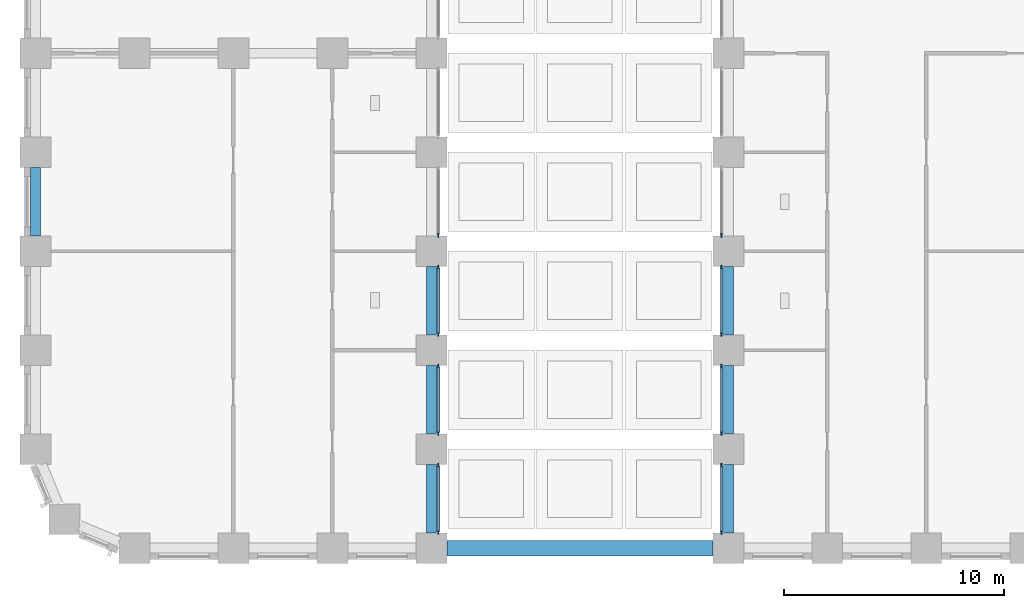
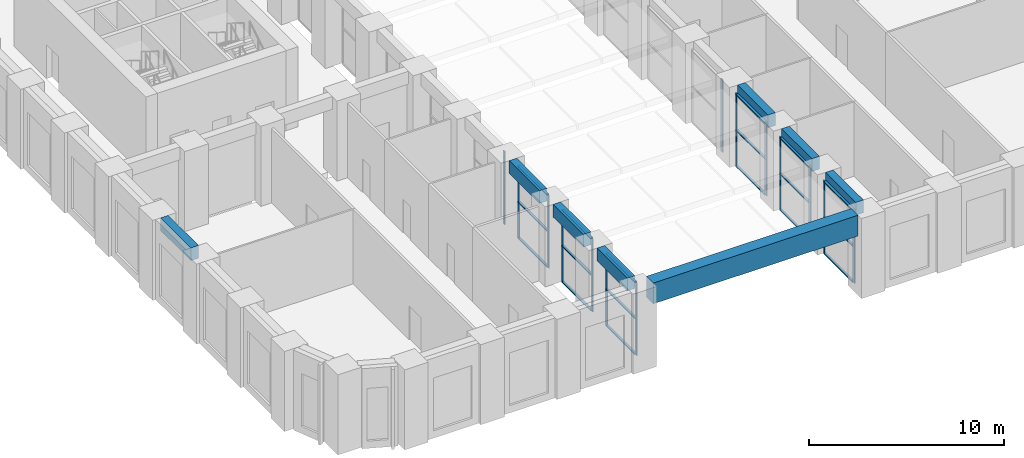
# One storey, part 2 of 24: 32 members, 8 beams, 8 elements without a shape of their own.
"""IFC4 building model written with IfcOpenShell, lengths in metres."""

from ifc_helpers import new_model, si_unit, direction, frame, origin, origin_2d, place, context, subcontext, project, spatial, rectangle, extrude, material, material_profile, profile_set, type_object, element, aggregate, save


model = new_model("IFC4")

# Units and contexts
model_context = context("Model", 3, precision=1e-05, world=origin(), true_north=direction((0.0, 1.0)))
body_context = subcontext(model_context, "Body", "Model", "MODEL_VIEW")
ifc_project = project(units=[si_unit("LENGTHUNIT", "METRE"), si_unit("AREAUNIT", "SQUARE_METRE"), si_unit("VOLUMEUNIT", "CUBIC_METRE"), si_unit("PLANEANGLEUNIT", "RADIAN"), si_unit("MASSUNIT", "GRAM", prefix="KILO")], contexts=[model_context])

# Site, building, storey
site_placement = place(None, origin())
site = spatial("IfcSite", under=ifc_project, at=site_placement, CompositionType="ELEMENT")
building_placement = place(site_placement, origin())
building = spatial("IfcBuilding", under=site, at=building_placement, Name="Girih Gate Residences", CompositionType="ELEMENT")
storey_placement = place(building_placement, frame((0.0, 0.0, 16.0)))
storey = spatial("IfcBuildingStorey", under=building, at=storey_placement, Name="L03", CompositionType="ELEMENT", Elevation=16.0)

# Curtain wall, members
ifc_material_1 = material(Name="Aluminium curtain wall frame", Category="aluminium")
curtain_wall_type = type_object("IfcCurtainWallType", Name="Curtain wall CW-2 podium amenity glazing", PredefinedType="NOTDEFINED", material=ifc_material_1)
curtain_wall_1_placement = place(storey_placement, origin())
curtain_wall_1 = element("IfcCurtainWall", 1, at=curtain_wall_1_placement, inside=storey, type_object=curtain_wall_type, Name="CW-2 Podium amenity glazing E0180_0000.0", PredefinedType="NOTDEFINED")
ifc_material_profile_1 = material_profile(ifc_material_1, rectangle(XDim=0.06005859375, YDim=0.179931640625, at=origin_2d()))
ifc_profile_set_1 = profile_set([ifc_material_profile_1], Name="Aluminium curtain wall frame")
member_type_1 = type_object("IfcMemberType", Name="Curtain wall mullion 60x180", PredefinedType="MULLION", material=ifc_profile_set_1)
member_1_placement = place(storey_placement, frame((18.31494140625, 0.72998046875, 0.0), z_axis=(0.0, 0.0, 1.0), x_axis=(-1.0, 0.0, 0.0)))
member_1 = element("IfcMember", 2, at=member_1_placement, type_object=member_type_1, Name="CW-2 mullion 1", PredefinedType="MULLION", context=body_context, shape_type="SweptSolid", body=[
    extrude(rectangle(XDim=0.06005859375, YDim=0.179931640625, at=origin_2d()), origin(), (0.0, 0.0, 1.0), 4.550048828125),
])
member_2_placement = place(storey_placement, frame((18.31494140625, 3.77001953125, 0.0), z_axis=(0.0, 0.0, 1.0), x_axis=(-1.0, 0.0, 0.0)))
member_2 = element("IfcMember", 3, at=member_2_placement, type_object=member_type_1, Name="CW-2 mullion 2", PredefinedType="MULLION", context=body_context, shape_type="SweptSolid", body=[
    extrude(rectangle(XDim=0.06005859375, YDim=0.179931640625, at=origin_2d()), origin(), (0.0, 0.0, 1.0), 4.550048828125),
])

curtain_wall_2_placement = place(storey_placement, origin())
curtain_wall_2 = element("IfcCurtainWall", 4, at=curtain_wall_2_placement, inside=storey, type_object=curtain_wall_type, Name="CW-2 Podium amenity glazing E0180_0000.1", PredefinedType="NOTDEFINED")
member_3_placement = place(storey_placement, frame((18.31494140625, 5.22998046875, 0.0), z_axis=(0.0, 0.0, 1.0), x_axis=(-1.0, 0.0, 0.0)))
member_3 = element("IfcMember", 5, at=member_3_placement, type_object=member_type_1, Name="CW-2 mullion 1", PredefinedType="MULLION", context=body_context, shape_type="SweptSolid", body=[
    extrude(rectangle(XDim=0.06005859375, YDim=0.179931640625, at=origin_2d()), origin(), (0.0, 0.0, 1.0), 4.550048828125),
])
member_4_placement = place(storey_placement, frame((18.31494140625, 8.27001953125, 0.0), z_axis=(0.0, 0.0, 1.0), x_axis=(-1.0, 0.0, 0.0)))
member_4 = element("IfcMember", 6, at=member_4_placement, type_object=member_type_1, Name="CW-2 mullion 2", PredefinedType="MULLION", context=body_context, shape_type="SweptSolid", body=[
    extrude(rectangle(XDim=0.06005859375, YDim=0.179931640625, at=origin_2d()), origin(), (0.0, 0.0, 1.0), 4.550048828125),
])

curtain_wall_3_placement = place(storey_placement, origin())
curtain_wall_3 = element("IfcCurtainWall", 7, at=curtain_wall_3_placement, inside=storey, type_object=curtain_wall_type, Name="CW-2 Podium amenity glazing E0180_0000.2", PredefinedType="NOTDEFINED")
member_5_placement = place(storey_placement, frame((18.31494140625, 9.72998046875, 0.0), z_axis=(0.0, 0.0, 1.0), x_axis=(-1.0, 0.0, 0.0)))
member_5 = element("IfcMember", 8, at=member_5_placement, type_object=member_type_1, Name="CW-2 mullion 1", PredefinedType="MULLION", context=body_context, shape_type="SweptSolid", body=[
    extrude(rectangle(XDim=0.06005859375, YDim=0.179931640625, at=origin_2d()), origin(), (0.0, 0.0, 1.0), 4.550048828125),
])
member_6_placement = place(storey_placement, frame((18.31494140625, 12.77001953125, 0.0), z_axis=(0.0, 0.0, 1.0), x_axis=(-1.0, 0.0, 0.0)))
member_6 = element("IfcMember", 9, at=member_6_placement, type_object=member_type_1, Name="CW-2 mullion 2", PredefinedType="MULLION", context=body_context, shape_type="SweptSolid", body=[
    extrude(rectangle(XDim=0.06005859375, YDim=0.179931640625, at=origin_2d()), origin(), (0.0, 0.0, 1.0), 4.550048828125),
])

# Curtain wall, member
curtain_wall_4_placement = place(storey_placement, origin())
curtain_wall_4 = element("IfcCurtainWall", 10, at=curtain_wall_4_placement, inside=storey, type_object=curtain_wall_type, Name="CW-2 Podium amenity glazing E0180_0000.3", PredefinedType="NOTDEFINED")
member_7_placement = place(storey_placement, frame((18.31494140625, 14.22998046875, 0.0), z_axis=(0.0, 0.0, 1.0), x_axis=(-1.0, 0.0, 0.0)))
member_7 = element("IfcMember", 11, at=member_7_placement, type_object=member_type_1, Name="CW-2 mullion 1", PredefinedType="MULLION", context=body_context, shape_type="SweptSolid", body=[
    extrude(rectangle(XDim=0.06005859375, YDim=0.179931640625, at=origin_2d()), origin(), (0.0, 0.0, 1.0), 4.550048828125),
])
aggregate(curtain_wall_4, [member_7])

curtain_wall_5_placement = place(storey_placement, origin())
curtain_wall_5 = element("IfcCurtainWall", 12, at=curtain_wall_5_placement, inside=storey, type_object=curtain_wall_type, Name="CW-2 Podium amenity glazing W0315_0495.7", PredefinedType="NOTDEFINED")
member_8_placement = place(storey_placement, frame((31.18505859375, 14.22998046875, 0.0), z_axis=(0.0, 0.0, 1.0), x_axis=(1.0, 0.0, 0.0)))
member_8 = element("IfcMember", 13, at=member_8_placement, type_object=member_type_1, Name="CW-2 mullion 2", PredefinedType="MULLION", context=body_context, shape_type="SweptSolid", body=[
    extrude(rectangle(XDim=0.06005859375, YDim=0.179931640625, at=origin_2d()), origin(), (0.0, 0.0, 1.0), 4.550048828125),
])
aggregate(curtain_wall_5, [member_8])

# Curtain wall, members
curtain_wall_6_placement = place(storey_placement, origin())
curtain_wall_6 = element("IfcCurtainWall", 14, at=curtain_wall_6_placement, inside=storey, type_object=curtain_wall_type, Name="CW-2 Podium amenity glazing W0315_0495.8", PredefinedType="NOTDEFINED")
member_9_placement = place(storey_placement, frame((31.18505859375, 12.77001953125, 0.0), z_axis=(0.0, 0.0, 1.0), x_axis=(1.0, 0.0, 0.0)))
member_9 = element("IfcMember", 15, at=member_9_placement, type_object=member_type_1, Name="CW-2 mullion 1", PredefinedType="MULLION", context=body_context, shape_type="SweptSolid", body=[
    extrude(rectangle(XDim=0.06005859375, YDim=0.179931640625, at=origin_2d()), origin(), (0.0, 0.0, 1.0), 4.550048828125),
])
member_10_placement = place(storey_placement, frame((31.18505859375, 9.72998046875, 0.0), z_axis=(0.0, 0.0, 1.0), x_axis=(1.0, 0.0, 0.0)))
member_10 = element("IfcMember", 16, at=member_10_placement, type_object=member_type_1, Name="CW-2 mullion 2", PredefinedType="MULLION", context=body_context, shape_type="SweptSolid", body=[
    extrude(rectangle(XDim=0.06005859375, YDim=0.179931640625, at=origin_2d()), origin(), (0.0, 0.0, 1.0), 4.550048828125),
])

curtain_wall_7_placement = place(storey_placement, origin())
curtain_wall_7 = element("IfcCurtainWall", 17, at=curtain_wall_7_placement, inside=storey, type_object=curtain_wall_type, Name="CW-2 Podium amenity glazing W0315_0495.9", PredefinedType="NOTDEFINED")
member_11_placement = place(storey_placement, frame((31.18505859375, 8.27001953125, 0.0), z_axis=(0.0, 0.0, 1.0), x_axis=(1.0, 0.0, 0.0)))
member_11 = element("IfcMember", 18, at=member_11_placement, type_object=member_type_1, Name="CW-2 mullion 1", PredefinedType="MULLION", context=body_context, shape_type="SweptSolid", body=[
    extrude(rectangle(XDim=0.06005859375, YDim=0.179931640625, at=origin_2d()), origin(), (0.0, 0.0, 1.0), 4.550048828125),
])
member_12_placement = place(storey_placement, frame((31.18505859375, 5.22998046875, 0.0), z_axis=(0.0, 0.0, 1.0), x_axis=(1.0, 0.0, 0.0)))
member_12 = element("IfcMember", 19, at=member_12_placement, type_object=member_type_1, Name="CW-2 mullion 2", PredefinedType="MULLION", context=body_context, shape_type="SweptSolid", body=[
    extrude(rectangle(XDim=0.06005859375, YDim=0.179931640625, at=origin_2d()), origin(), (0.0, 0.0, 1.0), 4.550048828125),
])

curtain_wall_8_placement = place(storey_placement, origin())
curtain_wall_8 = element("IfcCurtainWall", 20, at=curtain_wall_8_placement, inside=storey, type_object=curtain_wall_type, Name="CW-2 Podium amenity glazing W0315_0495.10", PredefinedType="NOTDEFINED")
member_13_placement = place(storey_placement, frame((31.18505859375, 3.77001953125, 0.0), z_axis=(0.0, 0.0, 1.0), x_axis=(1.0, 0.0, 0.0)))
member_13 = element("IfcMember", 21, at=member_13_placement, type_object=member_type_1, Name="CW-2 mullion 1", PredefinedType="MULLION", context=body_context, shape_type="SweptSolid", body=[
    extrude(rectangle(XDim=0.06005859375, YDim=0.179931640625, at=origin_2d()), origin(), (0.0, 0.0, 1.0), 4.550048828125),
])
member_14_placement = place(storey_placement, frame((31.18505859375, 0.72998046875, 0.0), z_axis=(0.0, 0.0, 1.0), x_axis=(1.0, 0.0, 0.0)))
member_14 = element("IfcMember", 22, at=member_14_placement, type_object=member_type_1, Name="CW-2 mullion 2", PredefinedType="MULLION", context=body_context, shape_type="SweptSolid", body=[
    extrude(rectangle(XDim=0.06005859375, YDim=0.179931640625, at=origin_2d()), origin(), (0.0, 0.0, 1.0), 4.550048828125),
])

# Member
ifc_material_profile_2 = material_profile(ifc_material_1, rectangle(XDim=0.139892578125, YDim=0.06005859375, at=origin_2d()))
ifc_profile_set_2 = profile_set([ifc_material_profile_2], Name="Aluminium curtain wall frame")
member_type_2 = type_object("IfcMemberType", Name="Curtain wall transom 60x140", PredefinedType="USERDEFINED", material=ifc_profile_set_2)
member_15_placement = place(storey_placement, frame((18.31494140625, 0.760009765625, 0.030029296875), z_axis=(0.0, 1.0, 0.0), x_axis=(-1.0, 0.0, 0.0)))
member_15 = element("IfcMember", 23, at=member_15_placement, type_object=member_type_2, Name="CW-2 transom 1.1", ObjectType="TRANSOM", PredefinedType="USERDEFINED", context=body_context, shape_type="SweptSolid", body=[
    extrude(rectangle(XDim=0.139892578125, YDim=0.06005859375, at=origin_2d()), origin(), (0.0, 0.0, 1.0), 2.97998046875),
])

member_16_placement = place(storey_placement, frame((18.31494140625, 0.760009765625, 2.27490234375), z_axis=(0.0, 1.0, 0.0), x_axis=(-1.0, 0.0, 0.0)))
member_16 = element("IfcMember", 24, at=member_16_placement, type_object=member_type_2, Name="CW-2 transom 1.2", ObjectType="TRANSOM", PredefinedType="USERDEFINED", context=body_context, shape_type="SweptSolid", body=[
    extrude(rectangle(XDim=0.139892578125, YDim=0.06005859375, at=origin_2d()), origin(), (0.0, 0.0, 1.0), 2.97998046875),
])

member_17_placement = place(storey_placement, frame((18.31494140625, 0.760009765625, 4.52001953125), z_axis=(0.0, 1.0, 0.0), x_axis=(-1.0, 0.0, 0.0)))
member_17 = element("IfcMember", 25, at=member_17_placement, type_object=member_type_2, Name="CW-2 transom 1.3", ObjectType="TRANSOM", PredefinedType="USERDEFINED", context=body_context, shape_type="SweptSolid", body=[
    extrude(rectangle(XDim=0.139892578125, YDim=0.06005859375, at=origin_2d()), origin(), (0.0, 0.0, 1.0), 2.97998046875),
])

aggregate(curtain_wall_1, [member_1, member_2, member_15, member_16, member_17])

member_18_placement = place(storey_placement, frame((18.31494140625, 5.260009765625, 0.030029296875), z_axis=(0.0, 1.0, 0.0), x_axis=(-1.0, 0.0, 0.0)))
member_18 = element("IfcMember", 26, at=member_18_placement, type_object=member_type_2, Name="CW-2 transom 1.1", ObjectType="TRANSOM", PredefinedType="USERDEFINED", context=body_context, shape_type="SweptSolid", body=[
    extrude(rectangle(XDim=0.139892578125, YDim=0.06005859375, at=origin_2d()), origin(), (0.0, 0.0, 1.0), 2.97998046875),
])

member_19_placement = place(storey_placement, frame((18.31494140625, 5.260009765625, 2.27490234375), z_axis=(0.0, 1.0, 0.0), x_axis=(-1.0, 0.0, 0.0)))
member_19 = element("IfcMember", 27, at=member_19_placement, type_object=member_type_2, Name="CW-2 transom 1.2", ObjectType="TRANSOM", PredefinedType="USERDEFINED", context=body_context, shape_type="SweptSolid", body=[
    extrude(rectangle(XDim=0.139892578125, YDim=0.06005859375, at=origin_2d()), origin(), (0.0, 0.0, 1.0), 2.97998046875),
])

member_20_placement = place(storey_placement, frame((18.31494140625, 5.260009765625, 4.52001953125), z_axis=(0.0, 1.0, 0.0), x_axis=(-1.0, 0.0, 0.0)))
member_20 = element("IfcMember", 28, at=member_20_placement, type_object=member_type_2, Name="CW-2 transom 1.3", ObjectType="TRANSOM", PredefinedType="USERDEFINED", context=body_context, shape_type="SweptSolid", body=[
    extrude(rectangle(XDim=0.139892578125, YDim=0.06005859375, at=origin_2d()), origin(), (0.0, 0.0, 1.0), 2.97998046875),
])

aggregate(curtain_wall_2, [member_3, member_4, member_18, member_19, member_20])

member_21_placement = place(storey_placement, frame((18.31494140625, 9.760009765625, 0.030029296875), z_axis=(0.0, 1.0, 0.0), x_axis=(-1.0, 0.0, 0.0)))
member_21 = element("IfcMember", 29, at=member_21_placement, type_object=member_type_2, Name="CW-2 transom 1.1", ObjectType="TRANSOM", PredefinedType="USERDEFINED", context=body_context, shape_type="SweptSolid", body=[
    extrude(rectangle(XDim=0.139892578125, YDim=0.06005859375, at=origin_2d()), origin(), (0.0, 0.0, 1.0), 2.97998046875),
])

member_22_placement = place(storey_placement, frame((18.31494140625, 9.760009765625, 2.27490234375), z_axis=(0.0, 1.0, 0.0), x_axis=(-1.0, 0.0, 0.0)))
member_22 = element("IfcMember", 30, at=member_22_placement, type_object=member_type_2, Name="CW-2 transom 1.2", ObjectType="TRANSOM", PredefinedType="USERDEFINED", context=body_context, shape_type="SweptSolid", body=[
    extrude(rectangle(XDim=0.139892578125, YDim=0.06005859375, at=origin_2d()), origin(), (0.0, 0.0, 1.0), 2.97998046875),
])

member_23_placement = place(storey_placement, frame((18.31494140625, 9.760009765625, 4.52001953125), z_axis=(0.0, 1.0, 0.0), x_axis=(-1.0, 0.0, 0.0)))
member_23 = element("IfcMember", 31, at=member_23_placement, type_object=member_type_2, Name="CW-2 transom 1.3", ObjectType="TRANSOM", PredefinedType="USERDEFINED", context=body_context, shape_type="SweptSolid", body=[
    extrude(rectangle(XDim=0.139892578125, YDim=0.06005859375, at=origin_2d()), origin(), (0.0, 0.0, 1.0), 2.97998046875),
])

aggregate(curtain_wall_3, [member_5, member_6, member_21, member_22, member_23])

member_24_placement = place(storey_placement, frame((31.18505859375, 12.739990234375, 0.030029296875), z_axis=(0.0, -1.0, 0.0), x_axis=(1.0, 0.0, 0.0)))
member_24 = element("IfcMember", 32, at=member_24_placement, type_object=member_type_2, Name="CW-2 transom 1.1", ObjectType="TRANSOM", PredefinedType="USERDEFINED", context=body_context, shape_type="SweptSolid", body=[
    extrude(rectangle(XDim=0.139892578125, YDim=0.06005859375, at=origin_2d()), origin(), (0.0, 0.0, 1.0), 2.97998046875),
])

member_25_placement = place(storey_placement, frame((31.18505859375, 12.739990234375, 2.27490234375), z_axis=(0.0, -1.0, 0.0), x_axis=(1.0, 0.0, 0.0)))
member_25 = element("IfcMember", 33, at=member_25_placement, type_object=member_type_2, Name="CW-2 transom 1.2", ObjectType="TRANSOM", PredefinedType="USERDEFINED", context=body_context, shape_type="SweptSolid", body=[
    extrude(rectangle(XDim=0.139892578125, YDim=0.06005859375, at=origin_2d()), origin(), (0.0, 0.0, 1.0), 2.97998046875),
])

member_26_placement = place(storey_placement, frame((31.18505859375, 12.739990234375, 4.52001953125), z_axis=(0.0, -1.0, 0.0), x_axis=(1.0, 0.0, 0.0)))
member_26 = element("IfcMember", 34, at=member_26_placement, type_object=member_type_2, Name="CW-2 transom 1.3", ObjectType="TRANSOM", PredefinedType="USERDEFINED", context=body_context, shape_type="SweptSolid", body=[
    extrude(rectangle(XDim=0.139892578125, YDim=0.06005859375, at=origin_2d()), origin(), (0.0, 0.0, 1.0), 2.97998046875),
])

aggregate(curtain_wall_6, [member_9, member_10, member_24, member_25, member_26])

member_27_placement = place(storey_placement, frame((31.18505859375, 8.239990234375, 0.030029296875), z_axis=(0.0, -1.0, 0.0), x_axis=(1.0, 0.0, 0.0)))
member_27 = element("IfcMember", 35, at=member_27_placement, type_object=member_type_2, Name="CW-2 transom 1.1", ObjectType="TRANSOM", PredefinedType="USERDEFINED", context=body_context, shape_type="SweptSolid", body=[
    extrude(rectangle(XDim=0.139892578125, YDim=0.06005859375, at=origin_2d()), origin(), (0.0, 0.0, 1.0), 2.97998046875),
])

member_28_placement = place(storey_placement, frame((31.18505859375, 8.239990234375, 2.27490234375), z_axis=(0.0, -1.0, 0.0), x_axis=(1.0, 0.0, 0.0)))
member_28 = element("IfcMember", 36, at=member_28_placement, type_object=member_type_2, Name="CW-2 transom 1.2", ObjectType="TRANSOM", PredefinedType="USERDEFINED", context=body_context, shape_type="SweptSolid", body=[
    extrude(rectangle(XDim=0.139892578125, YDim=0.06005859375, at=origin_2d()), origin(), (0.0, 0.0, 1.0), 2.97998046875),
])

member_29_placement = place(storey_placement, frame((31.18505859375, 8.239990234375, 4.52001953125), z_axis=(0.0, -1.0, 0.0), x_axis=(1.0, 0.0, 0.0)))
member_29 = element("IfcMember", 37, at=member_29_placement, type_object=member_type_2, Name="CW-2 transom 1.3", ObjectType="TRANSOM", PredefinedType="USERDEFINED", context=body_context, shape_type="SweptSolid", body=[
    extrude(rectangle(XDim=0.139892578125, YDim=0.06005859375, at=origin_2d()), origin(), (0.0, 0.0, 1.0), 2.97998046875),
])

aggregate(curtain_wall_7, [member_11, member_12, member_27, member_28, member_29])

member_30_placement = place(storey_placement, frame((31.18505859375, 3.739990234375, 0.030029296875), z_axis=(0.0, -1.0, 0.0), x_axis=(1.0, 0.0, 0.0)))
member_30 = element("IfcMember", 38, at=member_30_placement, type_object=member_type_2, Name="CW-2 transom 1.1", ObjectType="TRANSOM", PredefinedType="USERDEFINED", context=body_context, shape_type="SweptSolid", body=[
    extrude(rectangle(XDim=0.139892578125, YDim=0.06005859375, at=origin_2d()), origin(), (0.0, 0.0, 1.0), 2.97998046875),
])

member_31_placement = place(storey_placement, frame((31.18505859375, 3.739990234375, 2.27490234375), z_axis=(0.0, -1.0, 0.0), x_axis=(1.0, 0.0, 0.0)))
member_31 = element("IfcMember", 39, at=member_31_placement, type_object=member_type_2, Name="CW-2 transom 1.2", ObjectType="TRANSOM", PredefinedType="USERDEFINED", context=body_context, shape_type="SweptSolid", body=[
    extrude(rectangle(XDim=0.139892578125, YDim=0.06005859375, at=origin_2d()), origin(), (0.0, 0.0, 1.0), 2.97998046875),
])

member_32_placement = place(storey_placement, frame((31.18505859375, 3.739990234375, 4.52001953125), z_axis=(0.0, -1.0, 0.0), x_axis=(1.0, 0.0, 0.0)))
member_32 = element("IfcMember", 40, at=member_32_placement, type_object=member_type_2, Name="CW-2 transom 1.3", ObjectType="TRANSOM", PredefinedType="USERDEFINED", context=body_context, shape_type="SweptSolid", body=[
    extrude(rectangle(XDim=0.139892578125, YDim=0.06005859375, at=origin_2d()), origin(), (0.0, 0.0, 1.0), 2.97998046875),
])

aggregate(curtain_wall_8, [member_13, member_14, member_30, member_31, member_32])

# Beams
ifc_material_2 = material(Name="Concrete C60/75", Category="concrete")
ifc_material_profile_3 = material_profile(ifc_material_2, rectangle(XDim=0.449951171875, YDim=0.800048828125, at=origin_2d()))
ifc_profile_set_3 = profile_set([ifc_material_profile_3], Name="Concrete C60/75")
beam_type_1 = type_object("IfcBeamType", Name="Spandrel girder RC 450x800 Concrete C60/75", PredefinedType="BEAM", material=ifc_profile_set_3)
for number, where, z_axis, x_axis, name in (
    (41, (0.0, 17.300048828125, 4.60009765625), (0.0, -1.0, 0.0), (1.0, 0.0, 0.0), "Spandrel girder SP-P1E-P1D L03"),
    (42, (18.0, 0.699951171875, 4.60009765625), (0.0, 1.0, 0.0), (-1.0, 0.0, 0.0), "Spandrel girder SP-P5A-P5B L03"),
    (43, (18.0, 5.199951171875, 4.60009765625), (0.0, 1.0, 0.0), (-1.0, 0.0, 0.0), "Spandrel girder SP-P5B-P5C L03"),
    (44, (18.0, 9.699951171875, 4.60009765625), (0.0, 1.0, 0.0), (-1.0, 0.0, 0.0), "Spandrel girder SP-P5C-P5D L03"),
    (45, (31.5, 12.800048828125, 4.60009765625), (0.0, -1.0, 0.0), (1.0, 0.0, 0.0), "Spandrel girder SP-P8D-P8C L03"),
    (46, (31.5, 8.300048828125, 4.60009765625), (0.0, -1.0, 0.0), (1.0, 0.0, 0.0), "Spandrel girder SP-P8C-P8B L03"),
    (47, (31.5, 3.800048828125, 4.60009765625), (0.0, -1.0, 0.0), (1.0, 0.0, 0.0), "Spandrel girder SP-P8B-P8A L03"),
):
    element("IfcBeam", number, at=place(storey_placement, frame(where, z_axis=z_axis, x_axis=x_axis)), inside=storey, type_object=beam_type_1, Name=name, PredefinedType="BEAM", context=body_context, shape_type="SweptSolid", body=[
        extrude(rectangle(XDim=0.449951171875, YDim=0.800048828125, at=origin_2d()), origin(), (0.0, 0.0, 1.0), 3.10009765625),
    ])
ifc_material_profile_4 = material_profile(ifc_material_2, rectangle(XDim=0.699951171875, YDim=1.300048828125, at=origin_2d()))
ifc_profile_set_4 = profile_set([ifc_material_profile_4], Name="Concrete C60/75")
beam_type_2 = type_object("IfcBeamType", Name="Transfer girder RC 700x1300 Concrete C60/75", PredefinedType="BEAM", material=ifc_profile_set_4)
beam_placement = place(storey_placement, frame((18.699951171875, 0.0, 4.35009765625), z_axis=(1.0, 0.0, 0.0), x_axis=(0.0, 1.0, 0.0)))
element("IfcBeam", 48, at=beam_placement, inside=storey, type_object=beam_type_2, Name="Transfer girder TG1 L03 south", PredefinedType="BEAM", context=body_context, shape_type="SweptSolid", body=[
    extrude(rectangle(XDim=0.699951171875, YDim=1.300048828125, at=origin_2d()), origin(), (0.0, 0.0, 1.0), 12.10009765625),
])

save(model, "model.ifc")
